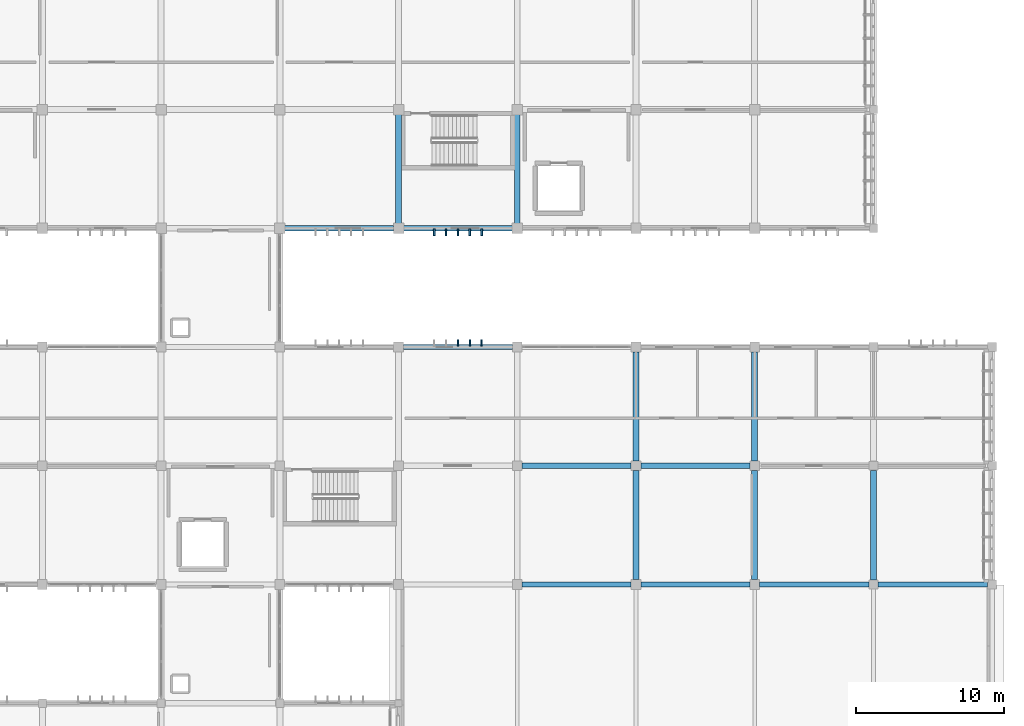
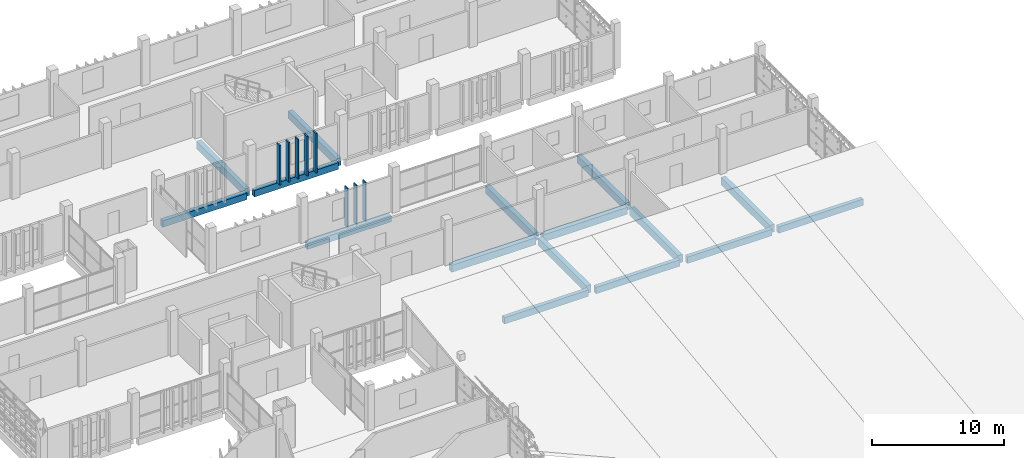
# One storey, part 47 of 83: 16 beams, 8 members.
"""IFC4 building model written with IfcOpenShell, lengths in metres."""

import ifcopenshell
import ifcopenshell.guid

model = None  # the IFC model being written
_history = None  # IfcOwnerHistory: only IFC2X3 demands one
_inside = {}  # id of a spatial element -> (the spatial element, [elements in it])
_under = {}  # id of a project, library or spatial element -> (it, [spatial elements below it])
_declared = {}  # id of a project -> (the project, [libraries it declares])
_typed = {}  # id of a type object -> (the type object, [elements of that type])
_made_of = {}  # id of a material, layer set ... -> (it, [elements and type objects made of it])


def new_model(schema):
    """Start an empty IFC model of exactly this schema.

    Asked for "IFC4X3", IfcOpenShell would pick the latest addendum, in which some entities
    have other attributes; the version numbers below select the first issue.
    IFC2X3 requires an IfcOwnerHistory on every rooted entity: one is made here for all.
    """
    global model, _history
    if schema == "IFC4X3":
        model = ifcopenshell.file(schema_version=(4, 3, 0, 0))
    else:
        model = ifcopenshell.file(schema=schema)
    _inside.clear()
    _under.clear()
    _declared.clear()
    _typed.clear()
    _made_of.clear()
    _history = None
    if model.schema == "IFC2X3":
        org = make("IfcOrganization", Name="unknown")
        user = make(
            "IfcPersonAndOrganization",
            ThePerson=make("IfcPerson", FamilyName="unknown"),
            TheOrganization=org,
        )
        app = make(
            "IfcApplication",
            ApplicationDeveloper=org,
            Version="unknown",
            ApplicationFullName="unknown",
            ApplicationIdentifier="unknown",
        )
        _history = make(
            "IfcOwnerHistory",
            OwningUser=user,
            OwningApplication=app,
            ChangeAction="ADDED",
            CreationDate=0,
        )
    return model


def make(cls, **values):
    """One entity of the class cls with the attributes given. An attribute that is None is left unset."""
    return model.create_entity(
        cls, **{name: value for name, value in values.items() if value is not None}
    )


def rooted(cls, **values):
    """An entity with a GlobalId (a new one), such as an element, a storey or a relation."""
    return make(cls, GlobalId=ifcopenshell.guid.new(), OwnerHistory=_history, **values)


def si_unit(unit_type, name, prefix=None):
    """IfcSIUnit, for example si_unit("LENGTHUNIT", "METRE", prefix="MILLI")."""
    return make("IfcSIUnit", UnitType=unit_type, Prefix=prefix, Name=name)


def assignment(units):
    """IfcUnitAssignment: the units of a project."""
    return None if units is None else make("IfcUnitAssignment", Units=units)


def point(xyz):
    """IfcCartesianPoint."""
    return None if xyz is None else make("IfcCartesianPoint", Coordinates=xyz)


def direction(xyz):
    """IfcDirection."""
    return None if xyz is None else make("IfcDirection", DirectionRatios=xyz)


def frame(location, z_axis=None, x_axis=None):
    """IfcAxis2Placement3D, a coordinate frame: its origin and axes. An axis left out is left unset."""
    return make(
        "IfcAxis2Placement3D",
        Location=point(location),
        Axis=direction(z_axis),
        RefDirection=direction(x_axis),
    )


def frame_2d(location, x_axis=None):
    """IfcAxis2Placement2D, a coordinate frame in the plane: its origin and x axis."""
    return make(
        "IfcAxis2Placement2D", Location=point(location), RefDirection=direction(x_axis)
    )


def origin():
    """The frame at (0, 0, 0) with its axes left unset."""
    return frame((0.0, 0.0, 0.0))


def origin_2d():
    """The frame at (0, 0) in the plane with its x axis left unset."""
    return frame_2d((0.0, 0.0))


def place(relative_to, where):
    """IfcLocalPlacement: puts the frame where relative to a parent placement (None: the world)."""
    return make(
        "IfcLocalPlacement", PlacementRelTo=relative_to, RelativePlacement=where
    )


def context(
    kind, dimensions, precision=None, world=None, true_north=None, identifier=None
):
    """IfcGeometricRepresentationContext, for example the 3D "Model" context."""
    return make(
        "IfcGeometricRepresentationContext",
        ContextIdentifier=identifier,
        ContextType=kind,
        CoordinateSpaceDimension=dimensions,
        Precision=precision,
        WorldCoordinateSystem=world,
        TrueNorth=true_north,
    )


def subcontext(parent, identifier, kind, view, scale=None):
    """IfcGeometricRepresentationSubContext, for example "Body" below "Model"."""
    return make(
        "IfcGeometricRepresentationSubContext",
        ContextIdentifier=identifier,
        ContextType=kind,
        ParentContext=parent,
        TargetScale=scale,
        TargetView=view,
    )


def project(units=None, contexts=None):
    """IfcProject with its units and contexts."""
    return rooted(
        "IfcProject",
        Name="project",
        RepresentationContexts=contexts,
        UnitsInContext=assignment(units),
    )


def spatial(cls, under=None, at=None, **own):
    """A site, building, storey or space (cls), placed at a placement, below another one or the project."""
    s = rooted(cls, ObjectPlacement=at, **own)
    if under is not None:
        _under.setdefault(under.id(), (under, []))[1].append(s)
    return s


def profile(cls, at=None, kind="AREA", **sizes):
    """A parametric profile (cls). Its sizes go by their IFC names, for example OverallWidth=200.0."""
    return make(cls, ProfileType=kind, Position=at, **sizes)


def rectangle(**sizes):
    """IfcRectangleProfileDef."""
    return profile("IfcRectangleProfileDef", **sizes)


def extrude(swept, where, along, depth):
    """IfcExtrudedAreaSolid: the profile swept, set in the frame where, extruded along a direction by depth."""
    return make(
        "IfcExtrudedAreaSolid",
        SweptArea=swept,
        Position=where,
        ExtrudedDirection=direction(along),
        Depth=depth,
    )


def shape(context_of_items, identifier, shape_type, items):
    """IfcShapeRepresentation: the items that make up one representation, for example the "Body"."""
    return make(
        "IfcShapeRepresentation",
        ContextOfItems=context_of_items,
        RepresentationIdentifier=identifier,
        RepresentationType=shape_type,
        Items=items,
    )


def material(Name=None, Category=None):
    """IfcMaterial."""
    return make("IfcMaterial", Name=Name, Category=Category)


def material_profile(
    of_material, cross_section, Name=None, Category=None, Priority=None
):
    """IfcMaterialProfile: a cross section and its material."""
    return make(
        "IfcMaterialProfile",
        Name=Name,
        Material=of_material,
        Profile=cross_section,
        Priority=Priority,
        Category=Category,
    )


def profile_set(profiles, Name=None, composite=None):
    """IfcMaterialProfileSet."""
    return make(
        "IfcMaterialProfileSet",
        Name=Name,
        MaterialProfiles=profiles,
        CompositeProfile=composite,
    )


def made_of(thing, what):
    """Note that an element or type object is made of a material, layer set ...; save() writes the relation."""
    if what is not None:
        _made_of.setdefault(what.id(), (what, []))[1].append(thing)
    return thing


def type_object(cls, material=None, **own):
    """A type object (cls), such as IfcWallType, which elements share."""
    return made_of(rooted(cls, **own), material)


def element(
    cls,
    number,
    at=None,
    inside=None,
    cuts=None,
    type_object=None,
    material=None,
    context=None,
    identifier="Body",
    shape_type=None,
    held_by="IfcProductDefinitionShape",
    body=None,
    shapes=None,
    **own,
):
    """One element of the class cls, such as IfcWall. Its Tag is "e" and its number.

    at: its placement. inside: the storey or other place that contains it. cuts: it is an
    opening in that element (IfcRelVoidsElement). A single representation is given by context,
    identifier, shape_type and body (its items); several are given by shapes. held_by: the class
    of the entity that holds the representations. save() writes the other relations.
    """
    e = rooted(cls, Tag="e%d" % number, ObjectPlacement=at, **own)
    if body is not None:
        shapes = [shape(context, identifier, shape_type, body)]
    if shapes is not None:
        e.Representation = make(held_by, Representations=shapes)
    if inside is not None:
        _inside.setdefault(inside.id(), (inside, []))[1].append(e)
    if cuts is not None:
        rooted(
            "IfcRelVoidsElement", RelatingBuildingElement=cuts, RelatedOpeningElement=e
        )
    if type_object is not None:
        _typed.setdefault(type_object.id(), (type_object, []))[1].append(e)
    return made_of(e, material)


def aggregate(whole, parts):
    """IfcRelAggregates: a whole, such as a stair, and the parts it consists of."""
    return rooted("IfcRelAggregates", RelatingObject=whole, RelatedObjects=parts)


def save(model, path):
    """Write the relations noted so far, then the file.

    IfcRelAggregates (storeys below a building ...), IfcRelContainedInSpatialStructure (elements
    in a storey), IfcRelDefinesByType, IfcRelAssociatesMaterial and IfcRelDeclares: one each for
    every whole, place, type object, material and project.
    """
    for whole, parts in _under.values():
        aggregate(whole, parts)
    for where, things in _inside.values():
        rooted(
            "IfcRelContainedInSpatialStructure",
            RelatedElements=things,
            RelatingStructure=where,
        )
    for kind, things in _typed.values():
        rooted("IfcRelDefinesByType", RelatedObjects=things, RelatingType=kind)
    for what, things in _made_of.values():
        rooted("IfcRelAssociatesMaterial", RelatedObjects=things, RelatingMaterial=what)
    for by, libraries in _declared.values():
        rooted("IfcRelDeclares", RelatingContext=by, RelatedDefinitions=libraries)
    model.write(path)


model = new_model("IFC4")

# Units and contexts
model_context = context("Model", 3, precision=1e-05, world=origin(), true_north=direction((0.0, 1.0)))
body_context = subcontext(model_context, "Body", "Model", "MODEL_VIEW")
ifc_project = project(units=[si_unit("LENGTHUNIT", "METRE"), si_unit("AREAUNIT", "SQUARE_METRE"), si_unit("VOLUMEUNIT", "CUBIC_METRE"), si_unit("PLANEANGLEUNIT", "RADIAN"), si_unit("MASSUNIT", "GRAM", prefix="KILO")], contexts=[model_context])

# Site, building, storey
site_placement = place(None, origin())
site = spatial("IfcSite", under=ifc_project, at=site_placement, CompositionType="ELEMENT")
building_placement = place(site_placement, origin())
building = spatial("IfcBuilding", under=site, at=building_placement, Name="Jelvoka-Kovrelna Polytechnic", CompositionType="ELEMENT")
storey_placement = place(building_placement, frame((0.0, 0.0, 13.800048828125)))
storey = spatial("IfcBuildingStorey", under=building, at=storey_placement, Name="L04", CompositionType="ELEMENT", Elevation=13.800048828125)

# Beams
ifc_material_1 = material(Name="Concrete C40/50", Category="concrete")
ifc_material_profile_1 = material_profile(ifc_material_1, rectangle(XDim=0.39990234375, YDim=0.64990234375, at=origin_2d()), Name="RC 400x650")
ifc_profile_set_1 = profile_set([ifc_material_profile_1], Name="Concrete C40/50")
beam_type_1 = type_object("IfcBeamType", Name="Beam_RC_400x650", PredefinedType="BEAM", material=ifc_profile_set_1)
for number, where, z_axis, x_axis, name in (
    (1, (168.330078125, 40.0, -0.574951171875), (1.0, 0.0, 0.0), (0.0, 1.0, 0.0), "L04 beam 1225"),
    (2, (176.330078125, 40.0, -0.574951171875), (1.0, 0.0, 0.0), (0.0, 1.0, 0.0), "L04 beam 1226"),
):
    element("IfcBeam", number, at=place(storey_placement, frame(where, z_axis=z_axis, x_axis=x_axis)), inside=storey, type_object=beam_type_1, Name=name, PredefinedType="BEAM", context=body_context, shape_type="SweptSolid", body=[
        extrude(rectangle(XDim=0.39990234375, YDim=0.64990234375, at=origin_2d()), origin(), (0.0, 0.0, 1.0), 7.33984375),
    ])
ifc_material_2 = material(Name="Concrete C40/50", Category="concrete")
ifc_material_profile_2 = material_profile(ifc_material_2, rectangle(XDim=0.39990234375, YDim=0.699951171875, at=origin_2d()), Name="RC 400x700")
ifc_profile_set_2 = profile_set([ifc_material_profile_2], Name="Concrete C40/50")
beam_type_2 = type_object("IfcBeamType", Name="Beam_RC_400x700", PredefinedType="BEAM", material=ifc_profile_set_2)
for number, where, z_axis, x_axis, name in (
    (3, (176.0, 32.330078125, -0.60009765625), (0.0, 1.0, 0.0), (-1.0, 0.0, 0.0), "L04 beam 1250"),
    (4, (176.0, 40.330078125, -0.60009765625), (0.0, 1.0, 0.0), (-1.0, 0.0, 0.0), "L04 beam 1251"),
    (5, (184.0, 32.330078125, -0.60009765625), (0.0, 1.0, 0.0), (-1.0, 0.0, 0.0), "L04 beam 1252"),
    (6, (184.0, 40.330078125, -0.60009765625), (0.0, 1.0, 0.0), (-1.0, 0.0, 0.0), "L04 beam 1253"),
):
    element("IfcBeam", number, at=place(storey_placement, frame(where, z_axis=z_axis, x_axis=x_axis)), inside=storey, type_object=beam_type_2, Name=name, PredefinedType="BEAM", context=body_context, shape_type="SweptSolid", body=[
        extrude(rectangle(XDim=0.39990234375, YDim=0.699951171875, at=origin_2d()), origin(), (0.0, 0.0, 1.0), 7.33984375),
    ])
beam_1_placement = place(storey_placement, frame((192.0, 32.304931640625, -0.60009765625), z_axis=(0.0, 1.0, 0.0), x_axis=(-1.0, 0.0, 0.0)))
element("IfcBeam", 7, at=beam_1_placement, inside=storey, type_object=beam_type_2, Name="L04 beam 1254", PredefinedType="BEAM", context=body_context, shape_type="SweptSolid", body=[
    extrude(rectangle(XDim=0.39990234375, YDim=0.699951171875, at=origin_2d()), origin(), (0.0, 0.0, 1.0), 7.39013671875),
])
for number, where, z_axis, x_axis, name in (
    (8, (160.0, 56.330078125, -0.60009765625), (0.0, 1.0, 0.0), (-1.0, 0.0, 0.0), "L04 beam 1332"),
    (9, (168.0, 56.330078125, -0.60009765625), (0.0, 1.0, 0.0), (-1.0, 0.0, 0.0), "L04 beam 1334"),
):
    element("IfcBeam", number, at=place(storey_placement, frame(where, z_axis=z_axis, x_axis=x_axis)), inside=storey, type_object=beam_type_2, Name=name, PredefinedType="BEAM", context=body_context, shape_type="SweptSolid", body=[
        extrude(rectangle(XDim=0.39990234375, YDim=0.699951171875, at=origin_2d()), origin(), (0.0, 0.0, 1.0), 7.33984375),
    ])

# Members
ifc_material_3 = material(Name="Precast concrete C40/50", Category="concrete")
ifc_material_profile_3 = material_profile(ifc_material_3, rectangle(XDim=0.10009765625, YDim=0.449951171875, at=origin_2d()), Name="PC 100x450")
ifc_profile_set_3 = profile_set([ifc_material_profile_3], Name="Precast concrete C40/50")
member_type_1 = type_object("IfcMemberType", Name="Louvre_Fin_100x450", PredefinedType="USERDEFINED", material=ifc_profile_set_3)
for number, where, z_axis, x_axis, name in (
    (10, (164.0, 48.264892578125, -0.27001953125), (0.0, 0.0, 1.0), (1.0, 0.0, 0.0), "L04 B2E north vertical solar louvre fin 0998"),
    (11, (164.800048828125, 48.264892578125, -0.27001953125), (0.0, 0.0, 1.0), (1.0, 0.0, 0.0), "L04 B2E north vertical solar louvre fin 0999"),
    (12, (165.60009765625, 48.264892578125, -0.27001953125), (0.0, 0.0, 1.0), (1.0, 0.0, 0.0), "L04 B2E north vertical solar louvre fin 1000"),
):
    element("IfcMember", number, at=place(storey_placement, frame(where, z_axis=z_axis, x_axis=x_axis)), inside=storey, type_object=member_type_1, Name=name, ObjectType="SUNSHADE", PredefinedType="USERDEFINED", context=body_context, shape_type="SweptSolid", body=[
        extrude(rectangle(XDim=0.10009765625, YDim=0.449951171875, at=origin_2d()), origin(), (0.0, 0.0, 1.0), 3.64501953125),
    ])
ifc_material_4 = material(Name="Precast concrete C40/50", Category="concrete")
ifc_material_profile_4 = material_profile(ifc_material_4, rectangle(XDim=0.1201171875, YDim=0.449951171875, at=origin_2d()), Name="PC 120x450")
ifc_profile_set_4 = profile_set([ifc_material_profile_4], Name="Precast concrete C40/50")
member_type_2 = type_object("IfcMemberType", Name="Louvre_Fin_120x450", PredefinedType="USERDEFINED", material=ifc_profile_set_4)
for number, where, z_axis, x_axis, name in (
    (13, (162.39990234375, 55.735107421875, -0.27001953125), (0.0, 0.0, 1.0), (1.0, 0.0, 0.0), "L04 B3 south vertical solar louvre fin 1741"),
    (14, (163.199951171875, 55.735107421875, -0.27001953125), (0.0, 0.0, 1.0), (1.0, 0.0, 0.0), "L04 B3 south vertical solar louvre fin 1742"),
    (15, (164.0, 55.735107421875, -0.27001953125), (0.0, 0.0, 1.0), (1.0, 0.0, 0.0), "L04 B3 south vertical solar louvre fin 1743"),
    (16, (164.800048828125, 55.735107421875, -0.27001953125), (0.0, 0.0, 1.0), (1.0, 0.0, 0.0), "L04 B3 south vertical solar louvre fin 1744"),
    (17, (165.60009765625, 55.735107421875, -0.27001953125), (0.0, 0.0, 1.0), (1.0, 0.0, 0.0), "L04 B3 south vertical solar louvre fin 1745"),
):
    element("IfcMember", number, at=place(storey_placement, frame(where, z_axis=z_axis, x_axis=x_axis)), inside=storey, type_object=member_type_2, Name=name, ObjectType="SUNSHADE", PredefinedType="USERDEFINED", context=body_context, shape_type="SweptSolid", body=[
        extrude(rectangle(XDim=0.1201171875, YDim=0.449951171875, at=origin_2d()), origin(), (0.0, 0.0, 1.0), 3.64501953125),
    ])

# Beams
ifc_material_5 = material(Name="Concrete C40/50", Category="concrete")
ifc_material_profile_5 = material_profile(ifc_material_5, rectangle(XDim=0.35009765625, YDim=0.60009765625, at=origin_2d()), Name="RC 350x600")
ifc_profile_set_5 = profile_set([ifc_material_profile_5], Name="Concrete C40/50")
beam_type_3 = type_object("IfcBeamType", Name="Spandrel_RC_350x600", PredefinedType="SPANDREL", material=ifc_profile_set_5)
for number, where, z_axis, x_axis, name in (
    (18, (168.330078125, 32.0, -0.550048828125), (1.0, 0.0, 0.0), (0.0, 1.0, 0.0), "L04 beam 1217"),
    (19, (176.330078125, 32.0, -0.550048828125), (1.0, 0.0, 0.0), (0.0, 1.0, 0.0), "L04 beam 1218"),
):
    element("IfcBeam", number, at=place(storey_placement, frame(where, z_axis=z_axis, x_axis=x_axis)), inside=storey, type_object=beam_type_3, Name=name, PredefinedType="SPANDREL", context=body_context, shape_type="SweptSolid", body=[
        extrude(rectangle(XDim=0.35009765625, YDim=0.60009765625, at=origin_2d()), origin(), (0.0, 0.0, 1.0), 7.33984375),
    ])
beam_2_placement = place(storey_placement, frame((184.330078125, 32.0, -0.550048828125), z_axis=(1.0, 0.0, 0.0), x_axis=(0.0, 1.0, 0.0)))
element("IfcBeam", 20, at=beam_2_placement, inside=storey, type_object=beam_type_3, Name="L04 beam 1219", PredefinedType="SPANDREL", context=body_context, shape_type="SweptSolid", body=[
    extrude(rectangle(XDim=0.35009765625, YDim=0.60009765625, at=origin_2d()), origin(), (0.0, 0.0, 1.0), 7.364990234375),
])
beam_3_placement = place(storey_placement, frame((192.304931640625, 32.0, -0.550048828125), z_axis=(1.0, 0.0, 0.0), x_axis=(0.0, 1.0, 0.0)))
element("IfcBeam", 21, at=beam_3_placement, inside=storey, type_object=beam_type_3, Name="L04 beam 1220", PredefinedType="SPANDREL", context=body_context, shape_type="SweptSolid", body=[
    extrude(rectangle(XDim=0.35009765625, YDim=0.60009765625, at=origin_2d()), origin(), (0.0, 0.0, 1.0), 7.39013671875),
])
for number, where, z_axis, x_axis, name in (
    (22, (160.330078125, 48.0, -0.550048828125), (1.0, 0.0, 0.0), (0.0, 1.0, 0.0), "L04 beam 1233"),
    (23, (152.330078125, 56.0, -0.550048828125), (1.0, 0.0, 0.0), (0.0, 1.0, 0.0), "L04 beam 1299"),
    (24, (160.330078125, 56.0, -0.550048828125), (1.0, 0.0, 0.0), (0.0, 1.0, 0.0), "L04 beam 1300"),
):
    element("IfcBeam", number, at=place(storey_placement, frame(where, z_axis=z_axis, x_axis=x_axis)), inside=storey, type_object=beam_type_3, Name=name, PredefinedType="SPANDREL", context=body_context, shape_type="SweptSolid", body=[
        extrude(rectangle(XDim=0.35009765625, YDim=0.60009765625, at=origin_2d()), origin(), (0.0, 0.0, 1.0), 7.33984375),
    ])

save(model, "model.ifc")
